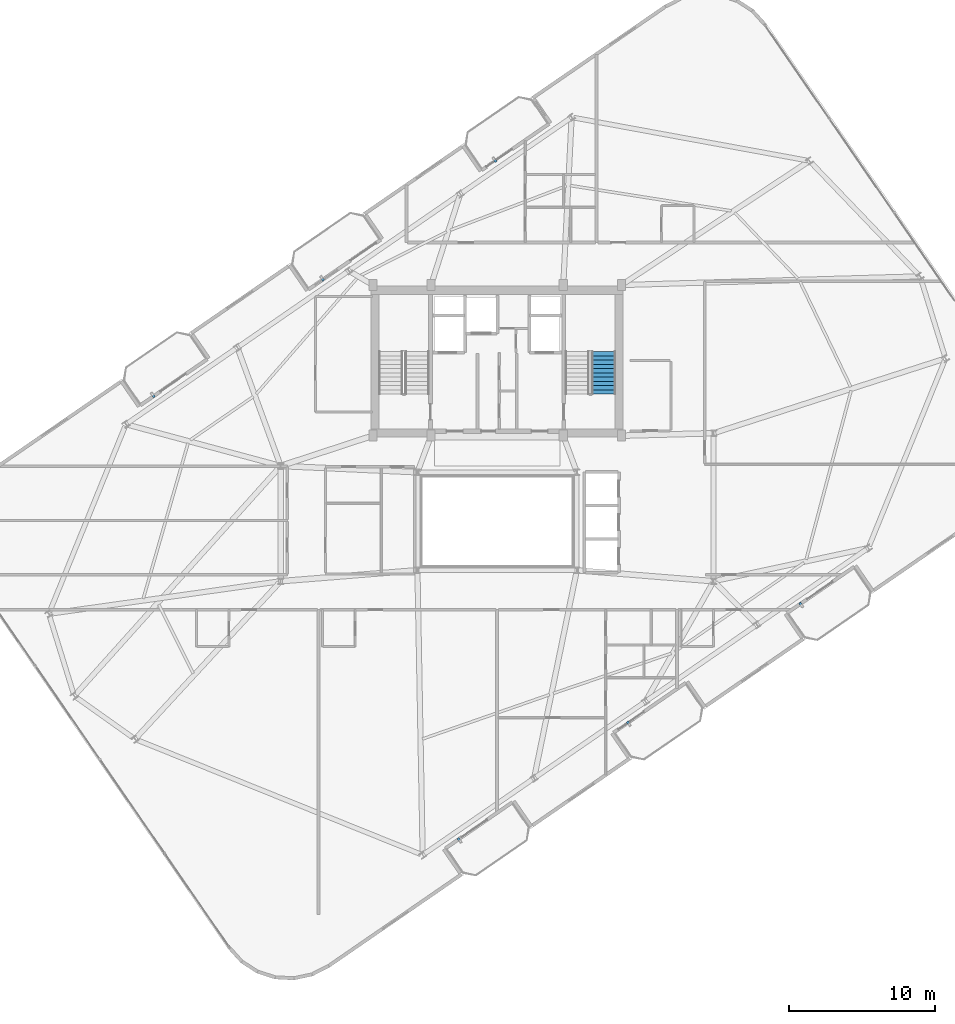
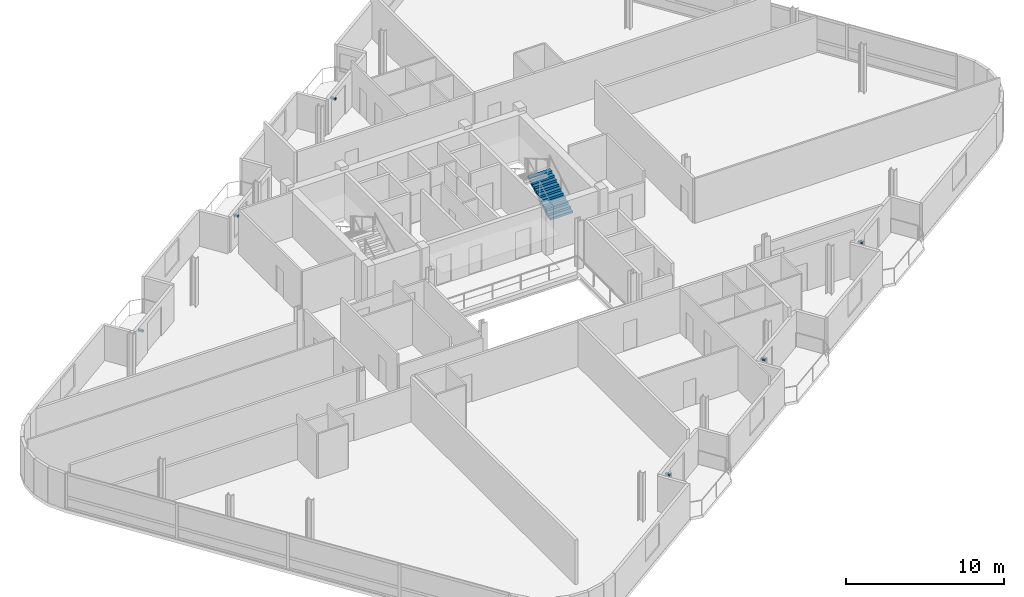
# One storey, part 18 of 21: 6 discrete accessories, 1 stair flight, 1 element without a shape of its own.
"""IFC4 building model written with IfcOpenShell, lengths in metres."""

import ifcopenshell
import ifcopenshell.guid

model = None  # the IFC model being written
_history = None  # IfcOwnerHistory: only IFC2X3 demands one
_inside = {}  # id of a spatial element -> (the spatial element, [elements in it])
_under = {}  # id of a project, library or spatial element -> (it, [spatial elements below it])
_declared = {}  # id of a project -> (the project, [libraries it declares])
_typed = {}  # id of a type object -> (the type object, [elements of that type])
_made_of = {}  # id of a material, layer set ... -> (it, [elements and type objects made of it])


def new_model(schema):
    """Start an empty IFC model of exactly this schema.

    Asked for "IFC4X3", IfcOpenShell would pick the latest addendum, in which some entities
    have other attributes; the version numbers below select the first issue.
    IFC2X3 requires an IfcOwnerHistory on every rooted entity: one is made here for all.
    """
    global model, _history
    if schema == "IFC4X3":
        model = ifcopenshell.file(schema_version=(4, 3, 0, 0))
    else:
        model = ifcopenshell.file(schema=schema)
    _inside.clear()
    _under.clear()
    _declared.clear()
    _typed.clear()
    _made_of.clear()
    _history = None
    if model.schema == "IFC2X3":
        org = make("IfcOrganization", Name="unknown")
        user = make(
            "IfcPersonAndOrganization",
            ThePerson=make("IfcPerson", FamilyName="unknown"),
            TheOrganization=org,
        )
        app = make(
            "IfcApplication",
            ApplicationDeveloper=org,
            Version="unknown",
            ApplicationFullName="unknown",
            ApplicationIdentifier="unknown",
        )
        _history = make(
            "IfcOwnerHistory",
            OwningUser=user,
            OwningApplication=app,
            ChangeAction="ADDED",
            CreationDate=0,
        )
    return model


def make(cls, **values):
    """One entity of the class cls with the attributes given. An attribute that is None is left unset."""
    return model.create_entity(
        cls, **{name: value for name, value in values.items() if value is not None}
    )


def rooted(cls, **values):
    """An entity with a GlobalId (a new one), such as an element, a storey or a relation."""
    return make(cls, GlobalId=ifcopenshell.guid.new(), OwnerHistory=_history, **values)


def si_unit(unit_type, name, prefix=None):
    """IfcSIUnit, for example si_unit("LENGTHUNIT", "METRE", prefix="MILLI")."""
    return make("IfcSIUnit", UnitType=unit_type, Prefix=prefix, Name=name)


def assignment(units):
    """IfcUnitAssignment: the units of a project."""
    return None if units is None else make("IfcUnitAssignment", Units=units)


def point(xyz):
    """IfcCartesianPoint."""
    return None if xyz is None else make("IfcCartesianPoint", Coordinates=xyz)


def direction(xyz):
    """IfcDirection."""
    return None if xyz is None else make("IfcDirection", DirectionRatios=xyz)


def frame(location, z_axis=None, x_axis=None):
    """IfcAxis2Placement3D, a coordinate frame: its origin and axes. An axis left out is left unset."""
    return make(
        "IfcAxis2Placement3D",
        Location=point(location),
        Axis=direction(z_axis),
        RefDirection=direction(x_axis),
    )


def frame_2d(location, x_axis=None):
    """IfcAxis2Placement2D, a coordinate frame in the plane: its origin and x axis."""
    return make(
        "IfcAxis2Placement2D", Location=point(location), RefDirection=direction(x_axis)
    )


def origin():
    """The frame at (0, 0, 0) with its axes left unset."""
    return frame((0.0, 0.0, 0.0))


def origin_2d():
    """The frame at (0, 0) in the plane with its x axis left unset."""
    return frame_2d((0.0, 0.0))


def place(relative_to, where):
    """IfcLocalPlacement: puts the frame where relative to a parent placement (None: the world)."""
    return make(
        "IfcLocalPlacement", PlacementRelTo=relative_to, RelativePlacement=where
    )


def context(
    kind, dimensions, precision=None, world=None, true_north=None, identifier=None
):
    """IfcGeometricRepresentationContext, for example the 3D "Model" context."""
    return make(
        "IfcGeometricRepresentationContext",
        ContextIdentifier=identifier,
        ContextType=kind,
        CoordinateSpaceDimension=dimensions,
        Precision=precision,
        WorldCoordinateSystem=world,
        TrueNorth=true_north,
    )


def subcontext(parent, identifier, kind, view, scale=None):
    """IfcGeometricRepresentationSubContext, for example "Body" below "Model"."""
    return make(
        "IfcGeometricRepresentationSubContext",
        ContextIdentifier=identifier,
        ContextType=kind,
        ParentContext=parent,
        TargetScale=scale,
        TargetView=view,
    )


def project(units=None, contexts=None):
    """IfcProject with its units and contexts."""
    return rooted(
        "IfcProject",
        Name="project",
        RepresentationContexts=contexts,
        UnitsInContext=assignment(units),
    )


def spatial(cls, under=None, at=None, **own):
    """A site, building, storey or space (cls), placed at a placement, below another one or the project."""
    s = rooted(cls, ObjectPlacement=at, **own)
    if under is not None:
        _under.setdefault(under.id(), (under, []))[1].append(s)
    return s


def polyline(points):
    """IfcPolyline through the points."""
    return make("IfcPolyline", Points=[point(p) for p in points])


def profile(cls, at=None, kind="AREA", **sizes):
    """A parametric profile (cls). Its sizes go by their IFC names, for example OverallWidth=200.0."""
    return make(cls, ProfileType=kind, Position=at, **sizes)


def rectangle(**sizes):
    """IfcRectangleProfileDef."""
    return profile("IfcRectangleProfileDef", **sizes)


def outline(outer, holes=None, kind="AREA"):
    """IfcArbitraryClosedProfileDef: a profile drawn as a closed curve; with holes, ...WithVoids."""
    if holes is None:
        return make("IfcArbitraryClosedProfileDef", ProfileType=kind, OuterCurve=outer)
    return make(
        "IfcArbitraryProfileDefWithVoids",
        ProfileType=kind,
        OuterCurve=outer,
        InnerCurves=holes,
    )


def extrude(swept, where, along, depth):
    """IfcExtrudedAreaSolid: the profile swept, set in the frame where, extruded along a direction by depth."""
    return make(
        "IfcExtrudedAreaSolid",
        SweptArea=swept,
        Position=where,
        ExtrudedDirection=direction(along),
        Depth=depth,
    )


def shape(context_of_items, identifier, shape_type, items):
    """IfcShapeRepresentation: the items that make up one representation, for example the "Body"."""
    return make(
        "IfcShapeRepresentation",
        ContextOfItems=context_of_items,
        RepresentationIdentifier=identifier,
        RepresentationType=shape_type,
        Items=items,
    )


def source(mapping_origin, context_of_items, identifier, shape_type, items):
    """IfcRepresentationMap: a shape defined once, which mapped items show again and again."""
    return make(
        "IfcRepresentationMap",
        MappingOrigin=mapping_origin,
        MappedRepresentation=shape(context_of_items, identifier, shape_type, items),
    )


def transform(
    local_origin,
    x_axis=None,
    y_axis=None,
    z_axis=None,
    scale=None,
    scale2=None,
    scale3=None,
    uniform=True,
):
    """IfcCartesianTransformationOperator3D, or its non-uniform kind. x_axis, y_axis, z_axis: its Axis1, 2, 3."""
    if uniform:
        return make(
            "IfcCartesianTransformationOperator3D",
            Axis1=direction(x_axis),
            Axis2=direction(y_axis),
            LocalOrigin=point(local_origin),
            Scale=scale,
            Axis3=direction(z_axis),
        )
    return make(
        "IfcCartesianTransformationOperator3DnonUniform",
        Axis1=direction(x_axis),
        Axis2=direction(y_axis),
        LocalOrigin=point(local_origin),
        Scale=scale,
        Axis3=direction(z_axis),
        Scale2=scale2,
        Scale3=scale3,
    )


def mapped(mapping_source, mapping_target):
    """IfcMappedItem: shows the shape of a source again, moved by a transform."""
    return make(
        "IfcMappedItem", MappingSource=mapping_source, MappingTarget=mapping_target
    )


def material(Name=None, Category=None):
    """IfcMaterial."""
    return make("IfcMaterial", Name=Name, Category=Category)


def made_of(thing, what):
    """Note that an element or type object is made of a material, layer set ...; save() writes the relation."""
    if what is not None:
        _made_of.setdefault(what.id(), (what, []))[1].append(thing)
    return thing


def type_object(cls, material=None, **own):
    """A type object (cls), such as IfcWallType, which elements share."""
    return made_of(rooted(cls, **own), material)


def element(
    cls,
    number,
    at=None,
    inside=None,
    cuts=None,
    type_object=None,
    material=None,
    context=None,
    identifier="Body",
    shape_type=None,
    held_by="IfcProductDefinitionShape",
    body=None,
    shapes=None,
    **own,
):
    """One element of the class cls, such as IfcWall. Its Tag is "e" and its number.

    at: its placement. inside: the storey or other place that contains it. cuts: it is an
    opening in that element (IfcRelVoidsElement). A single representation is given by context,
    identifier, shape_type and body (its items); several are given by shapes. held_by: the class
    of the entity that holds the representations. save() writes the other relations.
    """
    e = rooted(cls, Tag="e%d" % number, ObjectPlacement=at, **own)
    if body is not None:
        shapes = [shape(context, identifier, shape_type, body)]
    if shapes is not None:
        e.Representation = make(held_by, Representations=shapes)
    if inside is not None:
        _inside.setdefault(inside.id(), (inside, []))[1].append(e)
    if cuts is not None:
        rooted(
            "IfcRelVoidsElement", RelatingBuildingElement=cuts, RelatedOpeningElement=e
        )
    if type_object is not None:
        _typed.setdefault(type_object.id(), (type_object, []))[1].append(e)
    return made_of(e, material)


def aggregate(whole, parts):
    """IfcRelAggregates: a whole, such as a stair, and the parts it consists of."""
    return rooted("IfcRelAggregates", RelatingObject=whole, RelatedObjects=parts)


def save(model, path):
    """Write the relations noted so far, then the file.

    IfcRelAggregates (storeys below a building ...), IfcRelContainedInSpatialStructure (elements
    in a storey), IfcRelDefinesByType, IfcRelAssociatesMaterial and IfcRelDeclares: one each for
    every whole, place, type object, material and project.
    """
    for whole, parts in _under.values():
        aggregate(whole, parts)
    for where, things in _inside.values():
        rooted(
            "IfcRelContainedInSpatialStructure",
            RelatedElements=things,
            RelatingStructure=where,
        )
    for kind, things in _typed.values():
        rooted("IfcRelDefinesByType", RelatedObjects=things, RelatingType=kind)
    for what, things in _made_of.values():
        rooted("IfcRelAssociatesMaterial", RelatedObjects=things, RelatingMaterial=what)
    for by, libraries in _declared.values():
        rooted("IfcRelDeclares", RelatingContext=by, RelatedDefinitions=libraries)
    model.write(path)


model = new_model("IFC4")

# Units and contexts
model_context = context("Model", 3, precision=1e-05, world=origin(), true_north=direction((0.0, 1.0)))
body_context = subcontext(model_context, "Body", "Model", "MODEL_VIEW")
ifc_project = project(units=[si_unit("LENGTHUNIT", "METRE"), si_unit("AREAUNIT", "SQUARE_METRE"), si_unit("VOLUMEUNIT", "CUBIC_METRE"), si_unit("PLANEANGLEUNIT", "RADIAN"), si_unit("MASSUNIT", "GRAM", prefix="KILO")], contexts=[model_context])

# Site, building, storey
site_placement = place(None, origin())
site = spatial("IfcSite", under=ifc_project, at=site_placement, CompositionType="ELEMENT")
building_placement = place(site_placement, origin())
building = spatial("IfcBuilding", under=site, at=building_placement, Name="Varnelok Gate Tower", CompositionType="ELEMENT")
storey_placement = place(building_placement, frame((0.0, 0.0, 276.699951171875)))
storey = spatial("IfcBuildingStorey", under=building, at=storey_placement, Name="L71", CompositionType="ELEMENT", Elevation=276.699951171875)

# Stair, stair flight
ifc_material_1 = material(Name="Concrete C50/60", Category="concrete")
stair_type = type_object("IfcStairType", Name="STR-CORE-1650", PredefinedType="HALF_TURN_STAIR", material=ifc_material_1)
stair_placement = place(storey_placement, origin())
stair = element("IfcStair", 1, at=stair_placement, inside=storey, type_object=stair_type, Name="L71 Exit Stair ST-2", PredefinedType="HALF_TURN_STAIR")
stair_flight_type = type_object("IfcStairFlightType", Name="SFL-CORE-1650", PredefinedType="STRAIGHT", material=ifc_material_1)
stair_flight_placement = place(storey_placement, frame((46.47509765625, 31.60009765625, 0.0), z_axis=(0.0, 0.0, 1.0), x_axis=(0.0, 1.0, 0.0)))
stair_flight = element("IfcStairFlight", 2, at=stair_flight_placement, type_object=stair_flight_type, Name="ST-2 flight 1", NumberOfRisers=11, NumberOfTreads=10, PredefinedType="STRAIGHT", RiserHeight=0.168181818, TreadLength=0.29, context=body_context, shape_type="SweptSolid", body=[
    extrude(outline(polyline([(0.0, 0.0), (0.0, 0.168212890625), (0.2900390625, 0.168212890625), (0.2900390625, 0.33642578125), (0.580078125, 0.33642578125), (0.580078125, 0.504638671875), (0.8701171875, 0.504638671875), (0.8701171875, 0.672607421875), (1.159912109375, 0.672607421875), (1.159912109375, 0.8408203125), (1.449951171875, 0.8408203125), (1.449951171875, 1.009033203125), (1.739990234375, 1.009033203125), (1.739990234375, 1.17724609375), (2.030029296875, 1.17724609375), (2.030029296875, 1.345458984375), (2.320068359375, 1.345458984375), (2.320068359375, 1.513671875), (2.610107421875, 1.513671875), (2.610107421875, 1.681884765625), (2.89990234375, 1.681884765625), (2.89990234375, 1.85009765625), (2.89990234375, 1.508544921875), (0.298828125, 0.0), (0.0, 0.0)])), frame((0.0, 0.824951171875, 0.0), z_axis=(0.0, -1.0, 0.0), x_axis=(1.0, 0.0, 0.0)), (0.0, 0.0, 1.0), 1.64990234375),
])
aggregate(stair, [stair_flight])

# Discrete accessories
ifc_material_2 = material(Name="Structural Steel ASTM A500 Grade C", Category="steel")
discrete_accessory_type = type_object("IfcDiscreteAccessoryType", Name="ACC-BAGUETTE-BRK", PredefinedType="BRACKET", material=ifc_material_2)
shared_shape = source(origin(), body_context, "Body", "SweptSolid", [
    extrude(rectangle(XDim=0.159912109375, YDim=0.340087890625, at=origin_2d()), origin(), (0.0, 0.0, 1.0), 0.139892578125),
])
for number, where, z_axis, x_axis, name in (
    (3, (36.62158203125, 1.09619140625, 1.97998046875), (0.0, 0.0, 1.0), (0.823532597628, 0.567268949127, 0.0), "L71 Terracotta Baguette Bracket 1.1"),
    (4, (48.195068359375, 9.068359375, 1.97998046875), (0.0, 0.0, 1.0), (0.823532597628, 0.567268949127, 0.0), "L71 Terracotta Baguette Bracket 2.1"),
    (5, (59.982666015625, 17.187744140625, 1.97998046875), (0.0, 0.0, 1.0), (0.823532597628, 0.567268949127, 0.0), "L71 Terracotta Baguette Bracket 3.1"),
    (6, (15.66650390625, 31.517333984375, 1.97998046875), (0.0, 0.0, 1.0), (0.823532597628, 0.567268949127, 0.0), "L71 Terracotta Baguette Bracket 4.1"),
    (7, (27.240234375, 39.489501953125, 1.97998046875), (0.0, 0.0, 1.0), (0.823532597628, 0.567268949127, 0.0), "L71 Terracotta Baguette Bracket 5.1"),
    (8, (39.027587890625, 47.609130859375, 1.97998046875), (0.0, 0.0, 1.0), (0.823532597628, 0.567268949127, 0.0), "L71 Terracotta Baguette Bracket 6.1"),
):
    element("IfcDiscreteAccessory", number, at=place(storey_placement, frame(where, z_axis=z_axis, x_axis=x_axis)), inside=storey, type_object=discrete_accessory_type, Name=name, PredefinedType="BRACKET", context=body_context, shape_type="MappedRepresentation", body=[
        mapped(shared_shape, transform((0.0, 0.0, 0.0), scale=1.0)),
    ])

save(model, "model.ifc")
